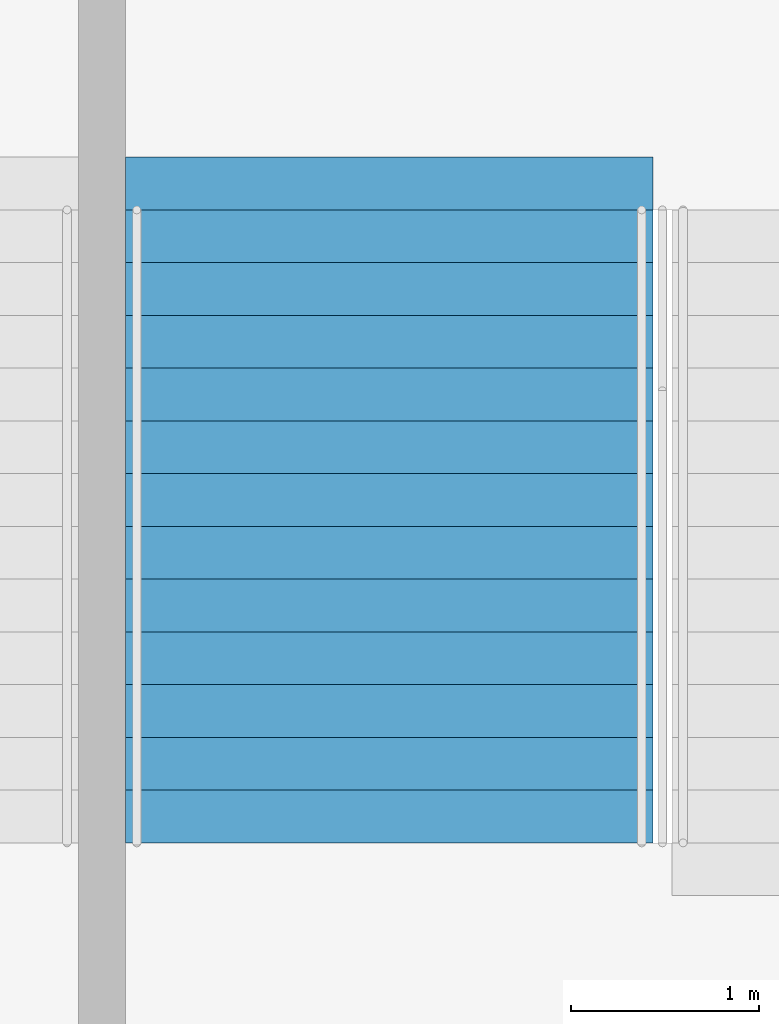
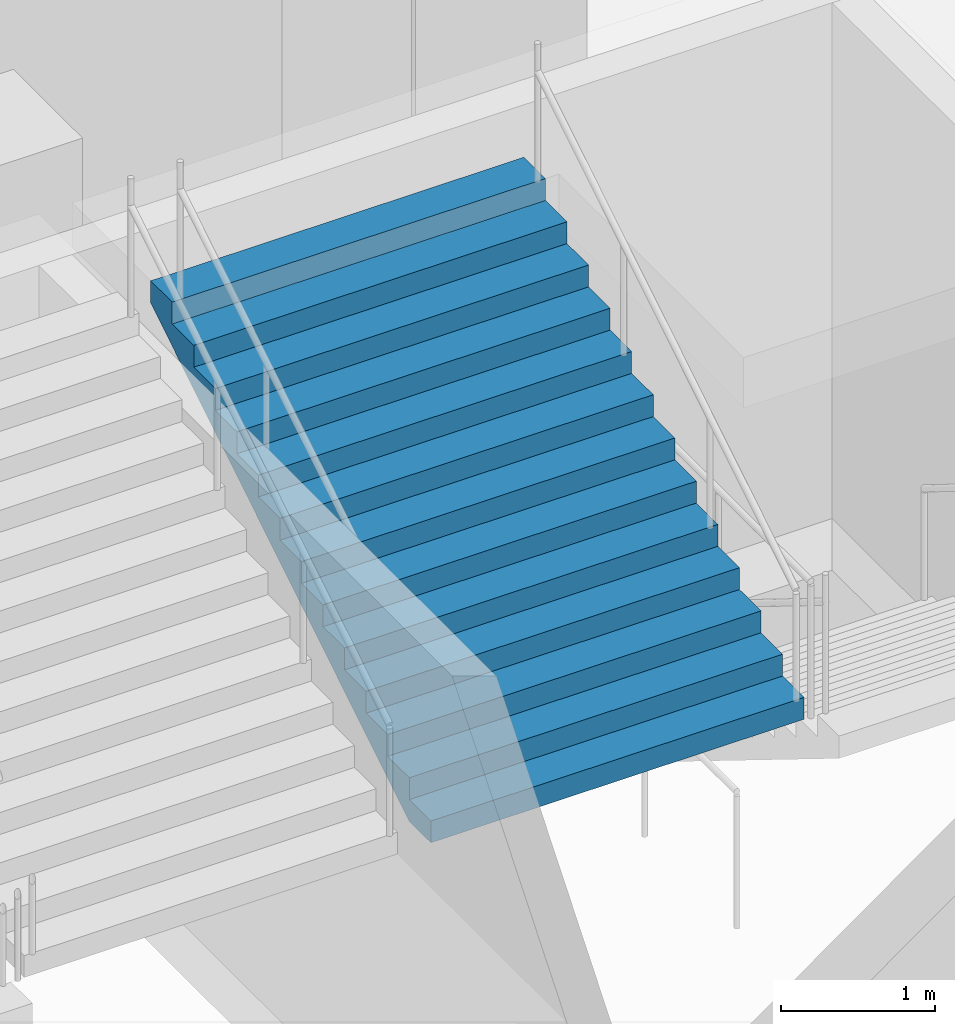
# One storey, part 148 of 249: 1 stair flight, 1 element without a shape of its own.
"""IFC4 building model written with IfcOpenShell, lengths in metres."""

from ifc_helpers import new_model, si_unit, direction, frame, origin, place, context, subcontext, project, spatial, faceted_brep, material, type_object, element, aggregate, save


model = new_model("IFC4")

# Units and contexts
model_context = context("Model", 3, precision=1e-05, world=origin(), true_north=direction((0.0, 1.0)))
body_context = subcontext(model_context, "Body", "Model", "MODEL_VIEW")
ifc_project = project(units=[si_unit("LENGTHUNIT", "METRE"), si_unit("AREAUNIT", "SQUARE_METRE"), si_unit("VOLUMEUNIT", "CUBIC_METRE"), si_unit("PLANEANGLEUNIT", "RADIAN"), si_unit("MASSUNIT", "GRAM", prefix="KILO")], contexts=[model_context])

# Site, building, storey
site_placement = place(None, origin())
site = spatial("IfcSite", under=ifc_project, at=site_placement, CompositionType="ELEMENT")
building_placement = place(site_placement, origin())
building = spatial("IfcBuilding", under=site, at=building_placement, Name="Ogive Plaza Stadium", CompositionType="ELEMENT")
storey_placement = place(building_placement, frame((0.0, 0.0, 13.5)))
storey = spatial("IfcBuildingStorey", under=building, at=storey_placement, Name="L03", CompositionType="ELEMENT", Elevation=13.5)

# Stair, stair flight
ifc_material_1 = material(Name="Concrete C40/50", Category="concrete")
stair_type = type_object("IfcStairType", Name="Exit stair", PredefinedType="STRAIGHT_RUN_STAIR", material=ifc_material_1)
stair_placement = place(storey_placement, origin())
stair = element("IfcStair", 1, at=stair_placement, inside=storey, type_object=stair_type, Name="Exit stair ST14B L03 to L04", PredefinedType="STRAIGHT_RUN_STAIR")
ifc_material_2 = material(Name="Concrete C40/50", Category="concrete")
stair_flight_type = type_object("IfcStairFlightType", Name="Exit stair flight", PredefinedType="STRAIGHT", material=ifc_material_2)
stair_flight_placement = place(storey_placement, frame((8.324951171875, -98.2099609375, 2.25), z_axis=(0.0, 0.0, 1.0), x_axis=(0.0, 1.0, 0.0)))
stair_flight = element("IfcStairFlight", 2, at=stair_flight_placement, type_object=stair_flight_type, Name="ST14B flight 2", NumberOfRisers=13, NumberOfTreads=12, PredefinedType="STRAIGHT", RiserHeight=0.173076923, TreadLength=0.28, context=body_context, shape_type="Brep", body=[
    faceted_brep([(0.28515625, -1.39990234375, 0.0), (3.639892578125, -1.39990234375, 2.07373046875), (3.639892578125, -1.39990234375, 2.25), (3.360107421875, -1.39990234375, 2.25), (3.360107421875, -1.39990234375, 2.076904296875), (3.080078125, -1.39990234375, 2.076904296875), (3.080078125, -1.39990234375, 1.90380859375), (2.800048828125, -1.39990234375, 1.90380859375), (2.800048828125, -1.39990234375, 1.730712890625), (2.52001953125, -1.39990234375, 1.730712890625), (2.52001953125, -1.39990234375, 1.5576171875), (2.239990234375, -1.39990234375, 1.5576171875), (2.239990234375, -1.39990234375, 1.384521484375), (1.9599609375, -1.39990234375, 1.384521484375), (1.9599609375, -1.39990234375, 1.21142578125), (1.679931640625, -1.39990234375, 1.21142578125), (1.679931640625, -1.39990234375, 1.03857421875), (1.39990234375, -1.39990234375, 1.03857421875), (1.39990234375, -1.39990234375, 0.865478515625), (1.1201171875, -1.39990234375, 0.865478515625), (1.1201171875, -1.39990234375, 0.6923828125), (0.840087890625, -1.39990234375, 0.6923828125), (0.840087890625, -1.39990234375, 0.519287109375), (0.56005859375, -1.39990234375, 0.519287109375), (0.56005859375, -1.39990234375, 0.34619140625), (0.280029296875, -1.39990234375, 0.34619140625), (0.280029296875, -1.39990234375, 0.173095703125), (0.0, -1.39990234375, 0.173095703125), (0.0, -1.39990234375, 0.0), (0.0, 1.39990234375, 0.0), (0.0, 1.39990234375, 0.173095703125), (0.280029296875, 1.39990234375, 0.173095703125), (0.280029296875, 1.39990234375, 0.34619140625), (0.56005859375, 1.39990234375, 0.34619140625), (0.56005859375, 1.39990234375, 0.519287109375), (0.840087890625, 1.39990234375, 0.519287109375), (0.840087890625, 1.39990234375, 0.6923828125), (1.1201171875, 1.39990234375, 0.6923828125), (1.1201171875, 1.39990234375, 0.865478515625), (1.39990234375, 1.39990234375, 0.865478515625), (1.39990234375, 1.39990234375, 1.03857421875), (1.679931640625, 1.39990234375, 1.03857421875), (1.679931640625, 1.39990234375, 1.21142578125), (1.9599609375, 1.39990234375, 1.21142578125), (1.9599609375, 1.39990234375, 1.384521484375), (2.239990234375, 1.39990234375, 1.384521484375), (2.239990234375, 1.39990234375, 1.5576171875), (2.52001953125, 1.39990234375, 1.5576171875), (2.52001953125, 1.39990234375, 1.730712890625), (2.800048828125, 1.39990234375, 1.730712890625), (2.800048828125, 1.39990234375, 1.90380859375), (3.080078125, 1.39990234375, 1.90380859375), (3.080078125, 1.39990234375, 2.076904296875), (3.360107421875, 1.39990234375, 2.076904296875), (3.360107421875, 1.39990234375, 2.25), (3.639892578125, 1.39990234375, 2.25), (3.639892578125, 1.39990234375, 2.07373046875), (0.28515625, 1.39990234375, 0.0), (0.28515625, -1.0888671875, 0.0), (3.639892578125, -1.0888671875, 2.07373046875), (0.28515625, -0.77783203125, 0.0), (3.639892578125, -0.77783203125, 2.07373046875), (0.28515625, -0.466796875, 0.0), (3.639892578125, -0.466796875, 2.07373046875), (0.28515625, -0.155517578125, 0.0), (3.639892578125, -0.155517578125, 2.07373046875), (0.28515625, 0.155517578125, 0.0), (3.639892578125, 0.155517578125, 2.07373046875), (0.28515625, 0.466796875, 0.0), (3.639892578125, 0.466796875, 2.07373046875), (0.28515625, 0.77783203125, 0.0), (3.639892578125, 0.77783203125, 2.07373046875), (0.28515625, 1.0888671875, 0.0), (3.639892578125, 1.0888671875, 2.07373046875), (3.639892578125, -1.0888671875, 2.25), (3.639892578125, -0.77783203125, 2.25), (3.639892578125, -0.466796875, 2.25), (3.639892578125, -0.155517578125, 2.25), (3.639892578125, 0.155517578125, 2.25), (3.639892578125, 0.466796875, 2.25), (3.639892578125, 0.77783203125, 2.25), (3.639892578125, 1.0888671875, 2.25), (3.360107421875, -1.0888671875, 2.25), (3.360107421875, -0.77783203125, 2.25), (3.360107421875, -0.466796875, 2.25), (3.360107421875, -0.155517578125, 2.25), (3.360107421875, 0.155517578125, 2.25), (3.360107421875, 0.466796875, 2.25), (3.360107421875, 0.77783203125, 2.25), (3.360107421875, 1.0888671875, 2.25), (3.360107421875, -1.0888671875, 2.076904296875), (3.360107421875, -0.77783203125, 2.076904296875), (3.360107421875, -0.466796875, 2.076904296875), (3.360107421875, -0.155517578125, 2.076904296875), (3.360107421875, 0.155517578125, 2.076904296875), (3.360107421875, 0.466796875, 2.076904296875), (3.360107421875, 0.77783203125, 2.076904296875), (3.360107421875, 1.0888671875, 2.076904296875), (3.080078125, -1.0888671875, 2.076904296875), (3.080078125, -0.77783203125, 2.076904296875), (3.080078125, -0.466796875, 2.076904296875), (3.080078125, -0.155517578125, 2.076904296875), (3.080078125, 0.155517578125, 2.076904296875), (3.080078125, 0.466796875, 2.076904296875), (3.080078125, 0.77783203125, 2.076904296875), (3.080078125, 1.0888671875, 2.076904296875), (3.080078125, -1.0888671875, 1.90380859375), (3.080078125, -0.77783203125, 1.90380859375), (3.080078125, -0.466796875, 1.90380859375), (3.080078125, -0.155517578125, 1.90380859375), (3.080078125, 0.155517578125, 1.90380859375), (3.080078125, 0.466796875, 1.90380859375), (3.080078125, 0.77783203125, 1.90380859375), (3.080078125, 1.0888671875, 1.90380859375), (2.800048828125, -1.0888671875, 1.90380859375), (2.800048828125, -0.77783203125, 1.90380859375), (2.800048828125, -0.466796875, 1.90380859375), (2.800048828125, -0.155517578125, 1.90380859375), (2.800048828125, 0.155517578125, 1.90380859375), (2.800048828125, 0.466796875, 1.90380859375), (2.800048828125, 0.77783203125, 1.90380859375), (2.800048828125, 1.0888671875, 1.90380859375), (2.800048828125, -1.0888671875, 1.730712890625), (2.800048828125, -0.77783203125, 1.730712890625), (2.800048828125, -0.466796875, 1.730712890625), (2.800048828125, -0.155517578125, 1.730712890625), (2.800048828125, 0.155517578125, 1.730712890625), (2.800048828125, 0.466796875, 1.730712890625), (2.800048828125, 0.77783203125, 1.730712890625), (2.800048828125, 1.0888671875, 1.730712890625), (2.52001953125, -1.0888671875, 1.730712890625), (2.52001953125, -0.77783203125, 1.730712890625), (2.52001953125, -0.466796875, 1.730712890625), (2.52001953125, -0.155517578125, 1.730712890625), (2.52001953125, 0.155517578125, 1.730712890625), (2.52001953125, 0.466796875, 1.730712890625), (2.52001953125, 0.77783203125, 1.730712890625), (2.52001953125, 1.0888671875, 1.730712890625), (2.52001953125, -1.0888671875, 1.5576171875), (2.52001953125, -0.77783203125, 1.5576171875), (2.52001953125, -0.466796875, 1.5576171875), (2.52001953125, -0.155517578125, 1.5576171875), (2.52001953125, 0.155517578125, 1.5576171875), (2.52001953125, 0.466796875, 1.5576171875), (2.52001953125, 0.77783203125, 1.5576171875), (2.52001953125, 1.0888671875, 1.5576171875), (2.239990234375, -1.0888671875, 1.5576171875), (2.239990234375, -0.77783203125, 1.5576171875), (2.239990234375, -0.466796875, 1.5576171875), (2.239990234375, -0.155517578125, 1.5576171875), (2.239990234375, 0.155517578125, 1.5576171875), (2.239990234375, 0.466796875, 1.5576171875), (2.239990234375, 0.77783203125, 1.5576171875), (2.239990234375, 1.0888671875, 1.5576171875), (2.239990234375, -1.0888671875, 1.384521484375), (2.239990234375, -0.77783203125, 1.384521484375), (2.239990234375, -0.466796875, 1.384521484375), (2.239990234375, -0.155517578125, 1.384521484375), (2.239990234375, 0.155517578125, 1.384521484375), (2.239990234375, 0.466796875, 1.384521484375), (2.239990234375, 0.77783203125, 1.384521484375), (2.239990234375, 1.0888671875, 1.384521484375), (1.9599609375, -1.0888671875, 1.384521484375), (1.9599609375, -0.77783203125, 1.384521484375), (1.9599609375, -0.466796875, 1.384521484375), (1.9599609375, -0.155517578125, 1.384521484375), (1.9599609375, 0.155517578125, 1.384521484375), (1.9599609375, 0.466796875, 1.384521484375), (1.9599609375, 0.77783203125, 1.384521484375), (1.9599609375, 1.0888671875, 1.384521484375), (1.9599609375, -1.0888671875, 1.21142578125), (1.9599609375, -0.77783203125, 1.21142578125), (1.9599609375, -0.466796875, 1.21142578125), (1.9599609375, -0.155517578125, 1.21142578125), (1.9599609375, 0.155517578125, 1.21142578125), (1.9599609375, 0.466796875, 1.21142578125), (1.9599609375, 0.77783203125, 1.21142578125), (1.9599609375, 1.0888671875, 1.21142578125), (1.679931640625, -1.0888671875, 1.21142578125), (1.679931640625, -0.77783203125, 1.21142578125), (1.679931640625, -0.466796875, 1.21142578125), (1.679931640625, -0.155517578125, 1.21142578125), (1.679931640625, 0.155517578125, 1.21142578125), (1.679931640625, 0.466796875, 1.21142578125), (1.679931640625, 0.77783203125, 1.21142578125), (1.679931640625, 1.0888671875, 1.21142578125), (1.679931640625, -1.0888671875, 1.03857421875), (1.679931640625, -0.77783203125, 1.03857421875), (1.679931640625, -0.466796875, 1.03857421875), (1.679931640625, -0.155517578125, 1.03857421875), (1.679931640625, 0.155517578125, 1.03857421875), (1.679931640625, 0.466796875, 1.03857421875), (1.679931640625, 0.77783203125, 1.03857421875), (1.679931640625, 1.0888671875, 1.03857421875), (1.39990234375, -1.0888671875, 1.03857421875), (1.39990234375, -0.77783203125, 1.03857421875), (1.39990234375, -0.466796875, 1.03857421875), (1.39990234375, -0.155517578125, 1.03857421875), (1.39990234375, 0.155517578125, 1.03857421875), (1.39990234375, 0.466796875, 1.03857421875), (1.39990234375, 0.77783203125, 1.03857421875), (1.39990234375, 1.0888671875, 1.03857421875), (1.39990234375, -1.0888671875, 0.865478515625), (1.39990234375, -0.77783203125, 0.865478515625), (1.39990234375, -0.466796875, 0.865478515625), (1.39990234375, -0.155517578125, 0.865478515625), (1.39990234375, 0.155517578125, 0.865478515625), (1.39990234375, 0.466796875, 0.865478515625), (1.39990234375, 0.77783203125, 0.865478515625), (1.39990234375, 1.0888671875, 0.865478515625), (1.1201171875, -1.0888671875, 0.865478515625), (1.1201171875, -0.77783203125, 0.865478515625), (1.1201171875, -0.466796875, 0.865478515625), (1.1201171875, -0.155517578125, 0.865478515625), (1.1201171875, 0.155517578125, 0.865478515625), (1.1201171875, 0.466796875, 0.865478515625), (1.1201171875, 0.77783203125, 0.865478515625), (1.1201171875, 1.0888671875, 0.865478515625), (1.1201171875, -1.0888671875, 0.6923828125), (1.1201171875, -0.77783203125, 0.6923828125), (1.1201171875, -0.466796875, 0.6923828125), (1.1201171875, -0.155517578125, 0.6923828125), (1.1201171875, 0.155517578125, 0.6923828125), (1.1201171875, 0.466796875, 0.6923828125), (1.1201171875, 0.77783203125, 0.6923828125), (1.1201171875, 1.0888671875, 0.6923828125), (0.840087890625, -1.0888671875, 0.6923828125), (0.840087890625, -0.77783203125, 0.6923828125), (0.840087890625, -0.466796875, 0.6923828125), (0.840087890625, -0.155517578125, 0.6923828125), (0.840087890625, 0.155517578125, 0.6923828125), (0.840087890625, 0.466796875, 0.6923828125), (0.840087890625, 0.77783203125, 0.6923828125), (0.840087890625, 1.0888671875, 0.6923828125), (0.840087890625, -1.0888671875, 0.519287109375), (0.840087890625, -0.77783203125, 0.519287109375), (0.840087890625, -0.466796875, 0.519287109375), (0.840087890625, -0.155517578125, 0.519287109375), (0.840087890625, 0.155517578125, 0.519287109375), (0.840087890625, 0.466796875, 0.519287109375), (0.840087890625, 0.77783203125, 0.519287109375), (0.840087890625, 1.0888671875, 0.519287109375), (0.56005859375, -1.0888671875, 0.519287109375), (0.56005859375, -0.77783203125, 0.519287109375), (0.56005859375, -0.466796875, 0.519287109375), (0.56005859375, -0.155517578125, 0.519287109375), (0.56005859375, 0.155517578125, 0.519287109375), (0.56005859375, 0.466796875, 0.519287109375), (0.56005859375, 0.77783203125, 0.519287109375), (0.56005859375, 1.0888671875, 0.519287109375), (0.56005859375, -1.0888671875, 0.34619140625), (0.56005859375, -0.77783203125, 0.34619140625), (0.56005859375, -0.466796875, 0.34619140625), (0.56005859375, -0.155517578125, 0.34619140625), (0.56005859375, 0.155517578125, 0.34619140625), (0.56005859375, 0.466796875, 0.34619140625), (0.56005859375, 0.77783203125, 0.34619140625), (0.56005859375, 1.0888671875, 0.34619140625), (0.280029296875, -1.0888671875, 0.34619140625), (0.280029296875, -0.77783203125, 0.34619140625), (0.280029296875, -0.466796875, 0.34619140625), (0.280029296875, -0.155517578125, 0.34619140625), (0.280029296875, 0.155517578125, 0.34619140625), (0.280029296875, 0.466796875, 0.34619140625), (0.280029296875, 0.77783203125, 0.34619140625), (0.280029296875, 1.0888671875, 0.34619140625), (0.280029296875, -1.0888671875, 0.173095703125), (0.280029296875, -0.77783203125, 0.173095703125), (0.280029296875, -0.466796875, 0.173095703125), (0.280029296875, -0.155517578125, 0.173095703125), (0.280029296875, 0.155517578125, 0.173095703125), (0.280029296875, 0.466796875, 0.173095703125), (0.280029296875, 0.77783203125, 0.173095703125), (0.280029296875, 1.0888671875, 0.173095703125), (0.0, -1.0888671875, 0.173095703125), (0.0, -0.77783203125, 0.173095703125), (0.0, -0.466796875, 0.173095703125), (0.0, -0.155517578125, 0.173095703125), (0.0, 0.155517578125, 0.173095703125), (0.0, 0.466796875, 0.173095703125), (0.0, 0.77783203125, 0.173095703125), (0.0, 1.0888671875, 0.173095703125), (0.0, -1.0888671875, 0.0), (0.0, -0.77783203125, 0.0), (0.0, -0.466796875, 0.0), (0.0, -0.155517578125, 0.0), (0.0, 0.155517578125, 0.0), (0.0, 0.466796875, 0.0), (0.0, 0.77783203125, 0.0), (0.0, 1.0888671875, 0.0)], [[[0, 1, 2, 3, 4, 5, 6, 7, 8, 9, 10, 11, 12, 13, 14, 15, 16, 17, 18, 19, 20, 21, 22, 23, 24, 25, 26, 27, 28]], [[29, 30, 31, 32, 33, 34, 35, 36, 37, 38, 39, 40, 41, 42, 43, 44, 45, 46, 47, 48, 49, 50, 51, 52, 53, 54, 55, 56, 57]], [[0, 58, 59, 1]], [[58, 60, 61, 59]], [[60, 62, 63, 61]], [[62, 64, 65, 63]], [[64, 66, 67, 65]], [[66, 68, 69, 67]], [[68, 70, 71, 69]], [[70, 72, 73, 71]], [[72, 57, 56, 73]], [[1, 59, 74, 2]], [[59, 61, 75, 74]], [[61, 63, 76, 75]], [[63, 65, 77, 76]], [[65, 67, 78, 77]], [[67, 69, 79, 78]], [[69, 71, 80, 79]], [[71, 73, 81, 80]], [[73, 56, 55, 81]], [[2, 74, 82, 3]], [[74, 75, 83, 82]], [[75, 76, 84, 83]], [[76, 77, 85, 84]], [[77, 78, 86, 85]], [[78, 79, 87, 86]], [[79, 80, 88, 87]], [[80, 81, 89, 88]], [[81, 55, 54, 89]], [[3, 82, 90, 4]], [[82, 83, 91, 90]], [[83, 84, 92, 91]], [[84, 85, 93, 92]], [[85, 86, 94, 93]], [[86, 87, 95, 94]], [[87, 88, 96, 95]], [[88, 89, 97, 96]], [[89, 54, 53, 97]], [[4, 90, 98, 5]], [[90, 91, 99, 98]], [[91, 92, 100, 99]], [[92, 93, 101, 100]], [[93, 94, 102, 101]], [[94, 95, 103, 102]], [[95, 96, 104, 103]], [[96, 97, 105, 104]], [[97, 53, 52, 105]], [[5, 98, 106, 6]], [[98, 99, 107, 106]], [[99, 100, 108, 107]], [[100, 101, 109, 108]], [[101, 102, 110, 109]], [[102, 103, 111, 110]], [[103, 104, 112, 111]], [[104, 105, 113, 112]], [[105, 52, 51, 113]], [[6, 106, 114, 7]], [[106, 107, 115, 114]], [[107, 108, 116, 115]], [[108, 109, 117, 116]], [[109, 110, 118, 117]], [[110, 111, 119, 118]], [[111, 112, 120, 119]], [[112, 113, 121, 120]], [[113, 51, 50, 121]], [[7, 114, 122, 8]], [[114, 115, 123, 122]], [[115, 116, 124, 123]], [[116, 117, 125, 124]], [[117, 118, 126, 125]], [[118, 119, 127, 126]], [[119, 120, 128, 127]], [[120, 121, 129, 128]], [[121, 50, 49, 129]], [[8, 122, 130, 9]], [[122, 123, 131, 130]], [[123, 124, 132, 131]], [[124, 125, 133, 132]], [[125, 126, 134, 133]], [[126, 127, 135, 134]], [[127, 128, 136, 135]], [[128, 129, 137, 136]], [[129, 49, 48, 137]], [[9, 130, 138, 10]], [[130, 131, 139, 138]], [[131, 132, 140, 139]], [[132, 133, 141, 140]], [[133, 134, 142, 141]], [[134, 135, 143, 142]], [[135, 136, 144, 143]], [[136, 137, 145, 144]], [[137, 48, 47, 145]], [[10, 138, 146, 11]], [[138, 139, 147, 146]], [[139, 140, 148, 147]], [[140, 141, 149, 148]], [[141, 142, 150, 149]], [[142, 143, 151, 150]], [[143, 144, 152, 151]], [[144, 145, 153, 152]], [[145, 47, 46, 153]], [[11, 146, 154, 12]], [[146, 147, 155, 154]], [[147, 148, 156, 155]], [[148, 149, 157, 156]], [[149, 150, 158, 157]], [[150, 151, 159, 158]], [[151, 152, 160, 159]], [[152, 153, 161, 160]], [[153, 46, 45, 161]], [[12, 154, 162, 13]], [[154, 155, 163, 162]], [[155, 156, 164, 163]], [[156, 157, 165, 164]], [[157, 158, 166, 165]], [[158, 159, 167, 166]], [[159, 160, 168, 167]], [[160, 161, 169, 168]], [[161, 45, 44, 169]], [[13, 162, 170, 14]], [[162, 163, 171, 170]], [[163, 164, 172, 171]], [[164, 165, 173, 172]], [[165, 166, 174, 173]], [[166, 167, 175, 174]], [[167, 168, 176, 175]], [[168, 169, 177, 176]], [[169, 44, 43, 177]], [[14, 170, 178, 15]], [[170, 171, 179, 178]], [[171, 172, 180, 179]], [[172, 173, 181, 180]], [[173, 174, 182, 181]], [[174, 175, 183, 182]], [[175, 176, 184, 183]], [[176, 177, 185, 184]], [[177, 43, 42, 185]], [[15, 178, 186, 16]], [[178, 179, 187, 186]], [[179, 180, 188, 187]], [[180, 181, 189, 188]], [[181, 182, 190, 189]], [[182, 183, 191, 190]], [[183, 184, 192, 191]], [[184, 185, 193, 192]], [[185, 42, 41, 193]], [[16, 186, 194, 17]], [[186, 187, 195, 194]], [[187, 188, 196, 195]], [[188, 189, 197, 196]], [[189, 190, 198, 197]], [[190, 191, 199, 198]], [[191, 192, 200, 199]], [[192, 193, 201, 200]], [[193, 41, 40, 201]], [[17, 194, 202, 18]], [[194, 195, 203, 202]], [[195, 196, 204, 203]], [[196, 197, 205, 204]], [[197, 198, 206, 205]], [[198, 199, 207, 206]], [[199, 200, 208, 207]], [[200, 201, 209, 208]], [[201, 40, 39, 209]], [[18, 202, 210, 19]], [[202, 203, 211, 210]], [[203, 204, 212, 211]], [[204, 205, 213, 212]], [[205, 206, 214, 213]], [[206, 207, 215, 214]], [[207, 208, 216, 215]], [[208, 209, 217, 216]], [[209, 39, 38, 217]], [[19, 210, 218, 20]], [[210, 211, 219, 218]], [[211, 212, 220, 219]], [[212, 213, 221, 220]], [[213, 214, 222, 221]], [[214, 215, 223, 222]], [[215, 216, 224, 223]], [[216, 217, 225, 224]], [[217, 38, 37, 225]], [[20, 218, 226, 21]], [[218, 219, 227, 226]], [[219, 220, 228, 227]], [[220, 221, 229, 228]], [[221, 222, 230, 229]], [[222, 223, 231, 230]], [[223, 224, 232, 231]], [[224, 225, 233, 232]], [[225, 37, 36, 233]], [[21, 226, 234, 22]], [[226, 227, 235, 234]], [[227, 228, 236, 235]], [[228, 229, 237, 236]], [[229, 230, 238, 237]], [[230, 231, 239, 238]], [[231, 232, 240, 239]], [[232, 233, 241, 240]], [[233, 36, 35, 241]], [[22, 234, 242, 23]], [[234, 235, 243, 242]], [[235, 236, 244, 243]], [[236, 237, 245, 244]], [[237, 238, 246, 245]], [[238, 239, 247, 246]], [[239, 240, 248, 247]], [[240, 241, 249, 248]], [[241, 35, 34, 249]], [[23, 242, 250, 24]], [[242, 243, 251, 250]], [[243, 244, 252, 251]], [[244, 245, 253, 252]], [[245, 246, 254, 253]], [[246, 247, 255, 254]], [[247, 248, 256, 255]], [[248, 249, 257, 256]], [[249, 34, 33, 257]], [[24, 250, 258, 25]], [[250, 251, 259, 258]], [[251, 252, 260, 259]], [[252, 253, 261, 260]], [[253, 254, 262, 261]], [[254, 255, 263, 262]], [[255, 256, 264, 263]], [[256, 257, 265, 264]], [[257, 33, 32, 265]], [[25, 258, 266, 26]], [[258, 259, 267, 266]], [[259, 260, 268, 267]], [[260, 261, 269, 268]], [[261, 262, 270, 269]], [[262, 263, 271, 270]], [[263, 264, 272, 271]], [[264, 265, 273, 272]], [[265, 32, 31, 273]], [[26, 266, 274, 27]], [[266, 267, 275, 274]], [[267, 268, 276, 275]], [[268, 269, 277, 276]], [[269, 270, 278, 277]], [[270, 271, 279, 278]], [[271, 272, 280, 279]], [[272, 273, 281, 280]], [[273, 31, 30, 281]], [[27, 274, 282, 28]], [[274, 275, 283, 282]], [[275, 276, 284, 283]], [[276, 277, 285, 284]], [[277, 278, 286, 285]], [[278, 279, 287, 286]], [[279, 280, 288, 287]], [[280, 281, 289, 288]], [[281, 30, 29, 289]], [[28, 282, 58, 0]], [[282, 283, 60, 58]], [[283, 284, 62, 60]], [[284, 285, 64, 62]], [[285, 286, 66, 64]], [[286, 287, 68, 66]], [[287, 288, 70, 68]], [[288, 289, 72, 70]], [[289, 29, 57, 72]]]),
])
aggregate(stair, [stair_flight])

save(model, "model.ifc")
